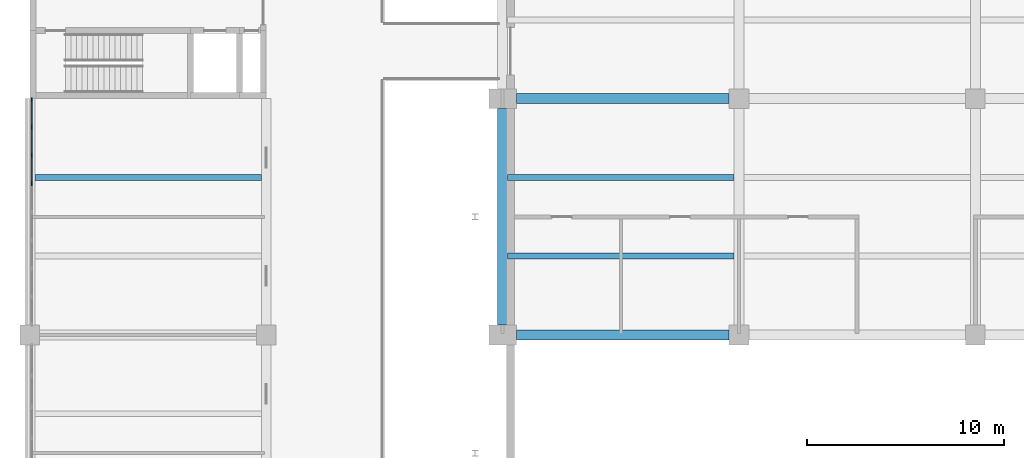
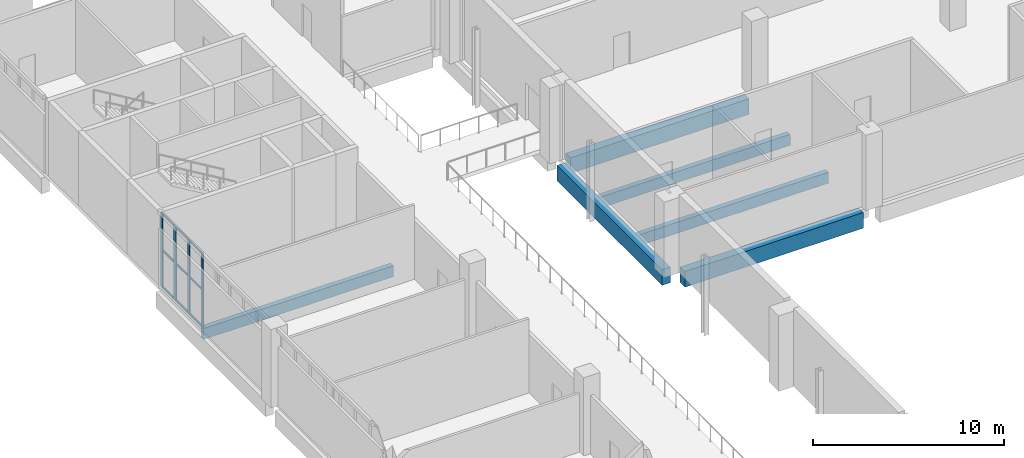
# One storey, part 34 of 69: 13 members, 6 beams, 1 element without a shape of its own.
"""IFC4 building model written with IfcOpenShell, lengths in metres."""

from ifc_helpers import new_model, si_unit, direction, frame, origin, origin_2d, place, context, subcontext, project, spatial, rectangle, extrude, material, layer, layer_set, material_profile, profile_set, type_object, element, aggregate, save


model = new_model("IFC4")

# Units and contexts
model_context = context("Model", 3, precision=1e-05, world=origin(), true_north=direction((0.0, 1.0)))
body_context = subcontext(model_context, "Body", "Model", "MODEL_VIEW")
ifc_project = project(units=[si_unit("LENGTHUNIT", "METRE"), si_unit("AREAUNIT", "SQUARE_METRE"), si_unit("VOLUMEUNIT", "CUBIC_METRE"), si_unit("PLANEANGLEUNIT", "RADIAN"), si_unit("MASSUNIT", "GRAM", prefix="KILO")], contexts=[model_context])

# Site, building, storey
site_placement = place(None, origin())
site = spatial("IfcSite", under=ifc_project, at=site_placement, CompositionType="ELEMENT")
building_placement = place(site_placement, origin())
building = spatial("IfcBuilding", under=site, at=building_placement, Name="Lilac Gate Convention Centre", CompositionType="ELEMENT")
storey_placement = place(building_placement, frame((0.0, 0.0, 12.0)))
storey = spatial("IfcBuildingStorey", under=building, at=storey_placement, Name="L02", CompositionType="ELEMENT", Elevation=12.0)

# Curtain wall, members
ifc_material_1 = material(Name="Aluminium framed double glazing", Category="aluminium")
ifc_layer = layer(ifc_material_1, 0.199951171875)
ifc_layer_set = layer_set([ifc_layer], Name="Aluminium framed double glazing")
curtain_wall_type = type_object("IfcCurtainWallType", Name="Unitised curtain wall 1500", PredefinedType="NOTDEFINED", material=ifc_layer_set)
curtain_wall_placement = place(storey_placement, origin())
curtain_wall = element("IfcCurtainWall", 1, at=curtain_wall_placement, inside=storey, type_object=curtain_wall_type, Name="Curtain wall PW L02 1", PredefinedType="NOTDEFINED")
ifc_material_2 = material(Name="Aluminium alloy 6063", Category="aluminium")
ifc_material_profile_1 = material_profile(ifc_material_2, rectangle(XDim=0.06005859375, YDim=0.219970703125, at=origin_2d()), Name="Curtain wall mullion 60 x 220")
ifc_profile_set_1 = profile_set([ifc_material_profile_1], Name="Aluminium alloy 6063")
member_type_1 = type_object("IfcMemberType", Name="Curtain wall mullion 60 x 220", PredefinedType="MULLION", material=ifc_profile_set_1)
member_1_placement = place(storey_placement, frame((6.10009765625, 209.93994140625, 0.0), z_axis=(0.0, 0.0, 1.0), x_axis=(1.0, 0.0, 0.0)))
member_1 = element("IfcMember", 2, at=member_1_placement, type_object=member_type_1, Name="CW mullion 1", PredefinedType="MULLION", context=body_context, shape_type="SweptSolid", body=[
    extrude(rectangle(XDim=0.06005859375, YDim=0.219970703125, at=origin_2d()), origin(), (0.0, 0.0, 1.0), 4.75),
])
member_2_placement = place(storey_placement, frame((6.10009765625, 208.5625, 0.0), z_axis=(0.0, 0.0, 1.0), x_axis=(1.0, 0.0, 0.0)))
member_2 = element("IfcMember", 3, at=member_2_placement, type_object=member_type_1, Name="CW mullion 2", PredefinedType="MULLION", context=body_context, shape_type="SweptSolid", body=[
    extrude(rectangle(XDim=0.06005859375, YDim=0.219970703125, at=origin_2d()), origin(), (0.0, 0.0, 1.0), 4.75),
])
member_3_placement = place(storey_placement, frame((6.10009765625, 207.125, 0.0), z_axis=(0.0, 0.0, 1.0), x_axis=(1.0, 0.0, 0.0)))
member_3 = element("IfcMember", 4, at=member_3_placement, type_object=member_type_1, Name="CW mullion 3", PredefinedType="MULLION", context=body_context, shape_type="SweptSolid", body=[
    extrude(rectangle(XDim=0.06005859375, YDim=0.219970703125, at=origin_2d()), origin(), (0.0, 0.0, 1.0), 4.75),
])
member_4_placement = place(storey_placement, frame((6.10009765625, 205.6875, 0.0), z_axis=(0.0, 0.0, 1.0), x_axis=(1.0, 0.0, 0.0)))
member_4 = element("IfcMember", 5, at=member_4_placement, type_object=member_type_1, Name="CW mullion 4", PredefinedType="MULLION", context=body_context, shape_type="SweptSolid", body=[
    extrude(rectangle(XDim=0.06005859375, YDim=0.219970703125, at=origin_2d()), origin(), (0.0, 0.0, 1.0), 4.75),
])
ifc_material_profile_2 = material_profile(ifc_material_2, rectangle(XDim=0.06005859375, YDim=0.1201171875, at=origin_2d()), Name="Curtain wall transom 60 x 120")
ifc_profile_set_2 = profile_set([ifc_material_profile_2], Name="Aluminium alloy 6063")
member_type_2 = type_object("IfcMemberType", Name="Curtain wall transom 60 x 120", PredefinedType="USERDEFINED", material=ifc_profile_set_2)
member_5_placement = place(storey_placement, frame((6.10009765625, 209.93994140625, 0.030029296875), z_axis=(0.0, -1.0, 0.0), x_axis=(1.0, 0.0, 0.0)))
member_5 = element("IfcMember", 6, at=member_5_placement, type_object=member_type_2, Name="CW transom 1.1", ObjectType="TRANSOM", PredefinedType="USERDEFINED", context=body_context, shape_type="SweptSolid", body=[
    extrude(rectangle(XDim=0.06005859375, YDim=0.1201171875, at=origin_2d()), origin(), (0.0, 0.0, 1.0), 1.347412109375),
])
member_6_placement = place(storey_placement, frame((6.10009765625, 209.93994140625, 2.375), z_axis=(0.0, -1.0, 0.0), x_axis=(1.0, 0.0, 0.0)))
member_6 = element("IfcMember", 7, at=member_6_placement, type_object=member_type_2, Name="CW transom 1.2", ObjectType="TRANSOM", PredefinedType="USERDEFINED", context=body_context, shape_type="SweptSolid", body=[
    extrude(rectangle(XDim=0.06005859375, YDim=0.1201171875, at=origin_2d()), origin(), (0.0, 0.0, 1.0), 1.347412109375),
])
member_7_placement = place(storey_placement, frame((6.10009765625, 209.93994140625, 4.719970703125), z_axis=(0.0, -1.0, 0.0), x_axis=(1.0, 0.0, 0.0)))
member_7 = element("IfcMember", 8, at=member_7_placement, type_object=member_type_2, Name="CW transom 1.3", ObjectType="TRANSOM", PredefinedType="USERDEFINED", context=body_context, shape_type="SweptSolid", body=[
    extrude(rectangle(XDim=0.06005859375, YDim=0.1201171875, at=origin_2d()), origin(), (0.0, 0.0, 1.0), 1.347412109375),
])
member_8_placement = place(storey_placement, frame((6.10009765625, 208.532470703125, 0.030029296875), z_axis=(0.0, -1.0, 0.0), x_axis=(1.0, 0.0, 0.0)))
member_8 = element("IfcMember", 9, at=member_8_placement, type_object=member_type_2, Name="CW transom 2.1", ObjectType="TRANSOM", PredefinedType="USERDEFINED", context=body_context, shape_type="SweptSolid", body=[
    extrude(rectangle(XDim=0.06005859375, YDim=0.1201171875, at=origin_2d()), origin(), (0.0, 0.0, 1.0), 1.37744140625),
])
member_9_placement = place(storey_placement, frame((6.10009765625, 208.532470703125, 2.375), z_axis=(0.0, -1.0, 0.0), x_axis=(1.0, 0.0, 0.0)))
member_9 = element("IfcMember", 10, at=member_9_placement, type_object=member_type_2, Name="CW transom 2.2", ObjectType="TRANSOM", PredefinedType="USERDEFINED", context=body_context, shape_type="SweptSolid", body=[
    extrude(rectangle(XDim=0.06005859375, YDim=0.1201171875, at=origin_2d()), origin(), (0.0, 0.0, 1.0), 1.37744140625),
])
member_10_placement = place(storey_placement, frame((6.10009765625, 208.532470703125, 4.719970703125), z_axis=(0.0, -1.0, 0.0), x_axis=(1.0, 0.0, 0.0)))
member_10 = element("IfcMember", 11, at=member_10_placement, type_object=member_type_2, Name="CW transom 2.3", ObjectType="TRANSOM", PredefinedType="USERDEFINED", context=body_context, shape_type="SweptSolid", body=[
    extrude(rectangle(XDim=0.06005859375, YDim=0.1201171875, at=origin_2d()), origin(), (0.0, 0.0, 1.0), 1.37744140625),
])
member_11_placement = place(storey_placement, frame((6.10009765625, 207.094970703125, 0.030029296875), z_axis=(0.0, -1.0, 0.0), x_axis=(1.0, 0.0, 0.0)))
member_11 = element("IfcMember", 12, at=member_11_placement, type_object=member_type_2, Name="CW transom 3.1", ObjectType="TRANSOM", PredefinedType="USERDEFINED", context=body_context, shape_type="SweptSolid", body=[
    extrude(rectangle(XDim=0.06005859375, YDim=0.1201171875, at=origin_2d()), origin(), (0.0, 0.0, 1.0), 1.37744140625),
])
member_12_placement = place(storey_placement, frame((6.10009765625, 207.094970703125, 2.375), z_axis=(0.0, -1.0, 0.0), x_axis=(1.0, 0.0, 0.0)))
member_12 = element("IfcMember", 13, at=member_12_placement, type_object=member_type_2, Name="CW transom 3.2", ObjectType="TRANSOM", PredefinedType="USERDEFINED", context=body_context, shape_type="SweptSolid", body=[
    extrude(rectangle(XDim=0.06005859375, YDim=0.1201171875, at=origin_2d()), origin(), (0.0, 0.0, 1.0), 1.37744140625),
])
member_13_placement = place(storey_placement, frame((6.10009765625, 207.094970703125, 4.719970703125), z_axis=(0.0, -1.0, 0.0), x_axis=(1.0, 0.0, 0.0)))
member_13 = element("IfcMember", 14, at=member_13_placement, type_object=member_type_2, Name="CW transom 3.3", ObjectType="TRANSOM", PredefinedType="USERDEFINED", context=body_context, shape_type="SweptSolid", body=[
    extrude(rectangle(XDim=0.06005859375, YDim=0.1201171875, at=origin_2d()), origin(), (0.0, 0.0, 1.0), 1.37744140625),
])
aggregate(curtain_wall, [member_1, member_2, member_3, member_4, member_5, member_6, member_7, member_8, member_9, member_10, member_11, member_12, member_13])

# Beams
ifc_material_3 = material(Name="Concrete C40", Category="concrete")
ifc_material_profile_3 = material_profile(ifc_material_3, rectangle(XDim=0.5, YDim=1.0, at=origin_2d()), Name="RC 500x1000")
ifc_profile_set_3 = profile_set([ifc_material_profile_3], Name="Concrete C40")
beam_type_1 = type_object("IfcBeamType", Name="Primary beam 500x1000 C40", PredefinedType="BEAM", material=ifc_profile_set_3)
for number, where, z_axis, x_axis, name in (
    (15, (30.699951171875, 198.0, -0.75), (1.0, 0.0, 0.0), (0.0, 1.0, 0.0), "RB1 L02 3/Q-4/Q"),
    (16, (30.699951171875, 210.0, -0.75), (1.0, 0.0, 0.0), (0.0, 1.0, 0.0), "RB1 L02 3/R-4/R"),
):
    element("IfcBeam", number, at=place(storey_placement, frame(where, z_axis=z_axis, x_axis=x_axis)), inside=storey, type_object=beam_type_1, Name=name, PredefinedType="BEAM", context=body_context, shape_type="SweptSolid", body=[
        extrude(rectangle(XDim=0.5, YDim=1.0, at=origin_2d()), origin(), (0.0, 0.0, 1.0), 10.800048828125),
    ])
beam_placement = place(storey_placement, frame((30.0, 198.5, -0.75), z_axis=(0.0, 1.0, 0.0), x_axis=(-1.0, 0.0, 0.0)))
element("IfcBeam", 17, at=beam_placement, inside=storey, type_object=beam_type_1, Name="RB1 L02 3/Q-3/R", PredefinedType="BEAM", context=body_context, shape_type="SweptSolid", body=[
    extrude(rectangle(XDim=0.5, YDim=1.0, at=origin_2d()), origin(), (0.0, 0.0, 1.0), 11.0),
])
ifc_material_profile_4 = material_profile(ifc_material_3, rectangle(XDim=0.300048828125, YDim=0.699951171875, at=origin_2d()), Name="RC 300x700")
ifc_profile_set_4 = profile_set([ifc_material_profile_4], Name="Concrete C40")
beam_type_2 = type_object("IfcBeamType", Name="Secondary beam 300x700 C40", PredefinedType="BEAM", material=ifc_profile_set_4)
for number, where, z_axis, x_axis, name in (
    (18, (6.25, 206.0, -0.60009765625), (1.0, 0.0, 0.0), (0.0, 1.0, 0.0), "RB2 L02 bay 1/Q"),
    (19, (30.25, 202.0, -0.60009765625), (1.0, 0.0, 0.0), (0.0, 1.0, 0.0), "RB2 L02 bay 3/Q"),
    (20, (30.25, 206.0, -0.60009765625), (1.0, 0.0, 0.0), (0.0, 1.0, 0.0), "RB2 L02 bay 3/Q"),
):
    element("IfcBeam", number, at=place(storey_placement, frame(where, z_axis=z_axis, x_axis=x_axis)), inside=storey, type_object=beam_type_2, Name=name, PredefinedType="BEAM", context=body_context, shape_type="SweptSolid", body=[
        extrude(rectangle(XDim=0.300048828125, YDim=0.699951171875, at=origin_2d()), origin(), (0.0, 0.0, 1.0), 11.5),
    ])

save(model, "model.ifc")
